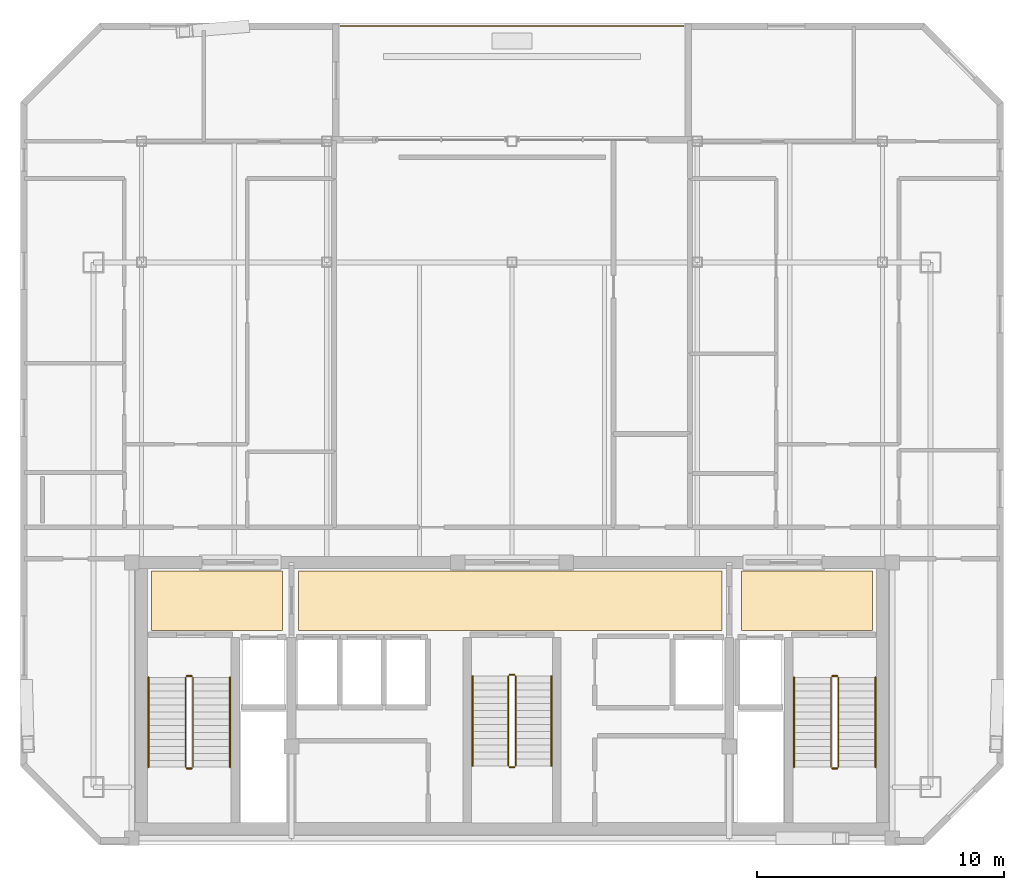
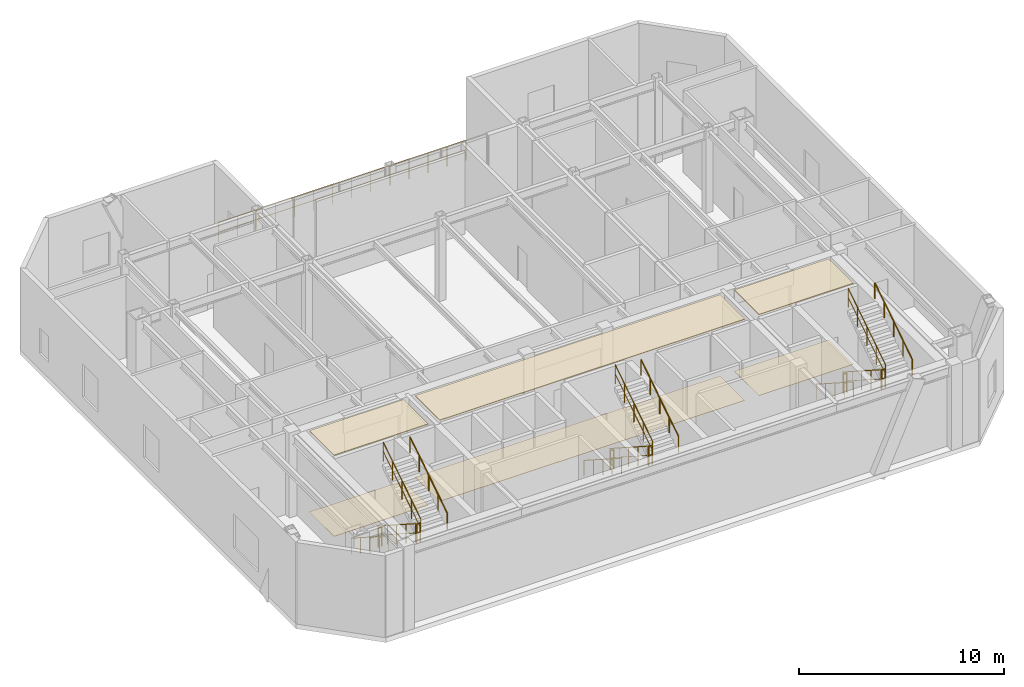
# One storey, part 11 of 11: 19 railings, 6 coverings.
"""IFC4 building model written with IfcOpenShell, lengths in metres."""

from ifc_helpers import new_model, si_unit, direction, frame, origin, origin_2d, place, context, subcontext, project, spatial, polyline, circle, outline, extrude, material, layer, layer_set, type_object, element, save


model = new_model("IFC4")

# Units and contexts
model_context = context("Model", 3, precision=1e-05, world=origin(), true_north=direction((0.0, 1.0)))
body_context = subcontext(model_context, "Body", "Model", "MODEL_VIEW")
ifc_project = project(units=[si_unit("LENGTHUNIT", "METRE"), si_unit("AREAUNIT", "SQUARE_METRE"), si_unit("VOLUMEUNIT", "CUBIC_METRE"), si_unit("PLANEANGLEUNIT", "RADIAN"), si_unit("MASSUNIT", "GRAM", prefix="KILO")], contexts=[model_context])

# Site, building, storey
site_placement = place(None, origin())
site = spatial("IfcSite", under=ifc_project, at=site_placement, CompositionType="ELEMENT")
building_placement = place(site_placement, origin())
building = spatial("IfcBuilding", under=site, at=building_placement, Name="Ventersveld Concourse Tower", CompositionType="ELEMENT")
storey_placement = place(building_placement, frame((0.0, 0.0, 308.0)))
storey = spatial("IfcBuildingStorey", under=building, at=storey_placement, Name="L76", CompositionType="ELEMENT", Elevation=308.0)

# Coverings
ifc_material_1 = material(Name="Mineral-fibre acoustic ceiling tile", Category="gypsum")
ifc_layer_1 = layer(ifc_material_1, 0.0400390625)
ifc_layer_set_1 = layer_set([ifc_layer_1], Name="Mineral-fibre acoustic ceiling tile")
covering_type_1 = type_object("IfcCoveringType", Name="COV-CEIL-ACOUSTIC", PredefinedType="CEILING", material=ifc_layer_set_1)
covering_1_placement = place(storey_placement, frame((0.0, 0.0, 4.81005859375)))
element("IfcCovering", 1, at=covering_1_placement, inside=storey, type_object=covering_type_1, Name="L76 North Lift Lobby Acoustic Ceiling", PredefinedType="CEILING", context=body_context, shape_type="SweptSolid", body=[
    extrude(outline(polyline([(20.10009765625, 8.699951171875), (37.25, 8.699951171875), (37.25, 11.10009765625), (20.10009765625, 11.10009765625), (20.10009765625, 8.699951171875)])), origin(), (0.0, 0.0, 1.0), 0.0400390625),
])
covering_2_placement = place(storey_placement, frame((0.0, 0.0, 4.81005859375)))
element("IfcCovering", 2, at=covering_2_placement, inside=storey, type_object=covering_type_1, Name="L76 West Firefighting Lobby Acoustic Ceiling", PredefinedType="CEILING", context=body_context, shape_type="SweptSolid", body=[
    extrude(outline(polyline([(14.14990234375, 8.699951171875), (19.449951171875, 8.699951171875), (19.449951171875, 11.10009765625), (14.14990234375, 11.10009765625), (14.14990234375, 8.699951171875)])), origin(), (0.0, 0.0, 1.0), 0.0400390625),
])
covering_3_placement = place(storey_placement, frame((0.0, 0.0, 4.81005859375)))
element("IfcCovering", 3, at=covering_3_placement, inside=storey, type_object=covering_type_1, Name="L76 East Firefighting Lobby Acoustic Ceiling", PredefinedType="CEILING", context=body_context, shape_type="SweptSolid", body=[
    extrude(outline(polyline([(38.050048828125, 8.699951171875), (43.35009765625, 8.699951171875), (43.35009765625, 11.10009765625), (38.050048828125, 11.10009765625), (38.050048828125, 8.699951171875)])), origin(), (0.0, 0.0, 1.0), 0.0400390625),
])
ifc_material_2 = material(Name="Polished Highveld granite terrazzo", Category="masonry")
ifc_layer_2 = layer(ifc_material_2, 0.02001953125)
ifc_layer_set_2 = layer_set([ifc_layer_2], Name="Polished Highveld granite terrazzo")
covering_type_2 = type_object("IfcCoveringType", Name="COV-FLOOR-TERRAZZO", PredefinedType="FLOORING", material=ifc_layer_set_2)
covering_4_placement = place(storey_placement, origin())
element("IfcCovering", 4, at=covering_4_placement, inside=storey, type_object=covering_type_2, Name="L76 North Lift Lobby Terrazzo Flooring", PredefinedType="FLOORING", context=body_context, shape_type="SweptSolid", body=[
    extrude(outline(polyline([(20.10009765625, 8.699951171875), (37.25, 8.699951171875), (37.25, 11.10009765625), (20.10009765625, 11.10009765625), (20.10009765625, 8.699951171875)])), origin(), (0.0, 0.0, 1.0), 0.02001953125),
])
covering_5_placement = place(storey_placement, origin())
element("IfcCovering", 5, at=covering_5_placement, inside=storey, type_object=covering_type_2, Name="L76 West Firefighting Lobby Terrazzo Flooring", PredefinedType="FLOORING", context=body_context, shape_type="SweptSolid", body=[
    extrude(outline(polyline([(14.14990234375, 8.699951171875), (19.449951171875, 8.699951171875), (19.449951171875, 11.10009765625), (14.14990234375, 11.10009765625), (14.14990234375, 8.699951171875)])), origin(), (0.0, 0.0, 1.0), 0.02001953125),
])
covering_6_placement = place(storey_placement, origin())
element("IfcCovering", 6, at=covering_6_placement, inside=storey, type_object=covering_type_2, Name="L76 East Firefighting Lobby Terrazzo Flooring", PredefinedType="FLOORING", context=body_context, shape_type="SweptSolid", body=[
    extrude(outline(polyline([(38.050048828125, 8.699951171875), (43.35009765625, 8.699951171875), (43.35009765625, 11.10009765625), (38.050048828125, 11.10009765625), (38.050048828125, 8.699951171875)])), origin(), (0.0, 0.0, 1.0), 0.02001953125),
])

# Railings
ifc_material_3 = material(Name="Brushed stainless steel 316", Category="steel")
railing_type_1 = type_object("IfcRailingType", Name="GD-BAL-115", PredefinedType="GUARDRAIL", material=ifc_material_3)
railing_1_placement = place(storey_placement, frame((15.530029296875, 6.800048828125, 0.180419921875)))
element("IfcRailing", 7, at=railing_1_placement, inside=storey, type_object=railing_type_1, Name="L76 ST-01 stair guard 1", PredefinedType="GUARDRAIL", context=body_context, shape_type="SweptSolid", body=[
    extrude(circle(Radius=0.02392578125, at=origin_2d()), frame((0.0, 0.0, 1.1259765625), z_axis=(0.0, -0.840716495035, 0.541475553442), x_axis=(1.0, 0.0, 0.0)), (0.0, 0.0, 1.0), 4.329833984375),
    extrude(circle(Radius=0.01611328125, at=origin_2d()), frame((0.0, 0.0, 0.574951171875), z_axis=(0.0, -0.840716495035, 0.541475553442), x_axis=(1.0, 0.0, 0.0)), (0.0, 0.0, 1.0), 4.329833984375),
    extrude(circle(Radius=0.02099609375, at=origin_2d()), origin(), (0.0, 0.0, 1.0), 1.101806640625),
    extrude(circle(Radius=0.02099609375, at=origin_2d()), frame((0.0, -0.91015625, 0.586181640625)), (0.0, 0.0, 1.0), 1.101806640625),
    extrude(circle(Radius=0.02099609375, at=origin_2d()), frame((0.0, -1.820068359375, 1.17236328125)), (0.0, 0.0, 1.0), 1.101806640625),
    extrude(circle(Radius=0.02099609375, at=origin_2d()), frame((0.0, -2.72998046875, 1.75830078125)), (0.0, 0.0, 1.0), 1.101806640625),
    extrude(circle(Radius=0.02099609375, at=origin_2d()), frame((0.0, -3.64013671875, 2.344482421875)), (0.0, 0.0, 1.0), 1.101806640625),
])
railing_2_placement = place(storey_placement, frame((15.580078125, 3.110107421875, 2.52490234375)))
element("IfcRailing", 8, at=railing_2_placement, inside=storey, type_object=railing_type_1, Name="L76 ST-01 stair guard 2", PredefinedType="GUARDRAIL", context=body_context, shape_type="SweptSolid", body=[
    extrude(circle(Radius=0.02392578125, at=origin_2d()), frame((0.0, 0.0, 1.1259765625), z_axis=(1.0, 0.0, 0.0), x_axis=(0.0, 1.0, 0.0)), (0.0, 0.0, 1.0), 0.199951171875),
    extrude(circle(Radius=0.01611328125, at=origin_2d()), frame((0.0, 0.0, 0.574951171875), z_axis=(1.0, 0.0, 0.0), x_axis=(0.0, 1.0, 0.0)), (0.0, 0.0, 1.0), 0.199951171875),
    extrude(circle(Radius=0.02099609375, at=origin_2d()), origin(), (0.0, 0.0, 1.0), 1.101806640625),
    extrude(circle(Radius=0.02099609375, at=origin_2d()), frame((0.199951171875, 0.0, 0.0)), (0.0, 0.0, 1.0), 1.101806640625),
])
railing_3_placement = place(storey_placement, frame((15.830078125, 3.159912109375, 2.705322265625)))
element("IfcRailing", 9, at=railing_3_placement, inside=storey, type_object=railing_type_1, Name="L76 ST-01 stair guard 3", PredefinedType="GUARDRAIL", context=body_context, shape_type="SweptSolid", body=[
    extrude(circle(Radius=0.02392578125, at=origin_2d()), frame((0.0, 0.0, 1.1259765625), z_axis=(0.0, 0.840690826383, 0.541515405539), x_axis=(-1.0, 0.0, 0.0)), (0.0, 0.0, 1.0), 4.329833984375),
    extrude(circle(Radius=0.01611328125, at=origin_2d()), frame((0.0, 0.0, 0.574951171875), z_axis=(0.0, 0.840690826383, 0.541515405539), x_axis=(-1.0, 0.0, 0.0)), (0.0, 0.0, 1.0), 4.329833984375),
    extrude(circle(Radius=0.02099609375, at=origin_2d()), origin(), (0.0, 0.0, 1.0), 1.101806640625),
    extrude(circle(Radius=0.02099609375, at=origin_2d()), frame((0.0, 0.91015625, 0.586181640625)), (0.0, 0.0, 1.0), 1.101806640625),
    extrude(circle(Radius=0.02099609375, at=origin_2d()), frame((0.0, 1.820068359375, 1.17236328125)), (0.0, 0.0, 1.0), 1.101806640625),
    extrude(circle(Radius=0.02099609375, at=origin_2d()), frame((0.0, 2.72998046875, 1.758544921875)), (0.0, 0.0, 1.0), 1.101806640625),
    extrude(circle(Radius=0.02099609375, at=origin_2d()), frame((0.0, 3.64013671875, 2.3447265625)), (0.0, 0.0, 1.0), 1.101806640625),
])
railing_4_placement = place(storey_placement, frame((15.580078125, 6.85009765625, 0.0)))
element("IfcRailing", 10, at=railing_4_placement, inside=storey, type_object=railing_type_1, Name="L76 ST-01 stair guard 4", PredefinedType="GUARDRAIL", context=body_context, shape_type="SweptSolid", body=[
    extrude(circle(Radius=0.02392578125, at=origin_2d()), frame((0.0, 0.0, 1.1259765625), z_axis=(1.0, 0.0, 0.0), x_axis=(0.0, 1.0, 0.0)), (0.0, 0.0, 1.0), 0.199951171875),
    extrude(circle(Radius=0.01611328125, at=origin_2d()), frame((0.0, 0.0, 0.574951171875), z_axis=(1.0, 0.0, 0.0), x_axis=(0.0, 1.0, 0.0)), (0.0, 0.0, 1.0), 0.199951171875),
    extrude(circle(Radius=0.02099609375, at=origin_2d()), origin(), (0.0, 0.0, 1.0), 1.101806640625),
    extrude(circle(Radius=0.02099609375, at=origin_2d()), frame((0.199951171875, 0.0, 0.0)), (0.0, 0.0, 1.0), 1.101806640625),
])
railing_5_placement = place(storey_placement, frame((41.669921875, 6.800048828125, 0.180419921875)))
element("IfcRailing", 11, at=railing_5_placement, inside=storey, type_object=railing_type_1, Name="L76 ST-02 stair guard 1", PredefinedType="GUARDRAIL", context=body_context, shape_type="SweptSolid", body=[
    extrude(circle(Radius=0.02392578125, at=origin_2d()), frame((0.0, 0.0, 1.1259765625), z_axis=(0.0, -0.840716495035, 0.541475553442), x_axis=(1.0, 0.0, 0.0)), (0.0, 0.0, 1.0), 4.329833984375),
    extrude(circle(Radius=0.01611328125, at=origin_2d()), frame((0.0, 0.0, 0.574951171875), z_axis=(0.0, -0.840716495035, 0.541475553442), x_axis=(1.0, 0.0, 0.0)), (0.0, 0.0, 1.0), 4.329833984375),
    extrude(circle(Radius=0.02099609375, at=origin_2d()), origin(), (0.0, 0.0, 1.0), 1.101806640625),
    extrude(circle(Radius=0.02099609375, at=origin_2d()), frame((0.0, -0.91015625, 0.586181640625)), (0.0, 0.0, 1.0), 1.101806640625),
    extrude(circle(Radius=0.02099609375, at=origin_2d()), frame((0.0, -1.820068359375, 1.17236328125)), (0.0, 0.0, 1.0), 1.101806640625),
    extrude(circle(Radius=0.02099609375, at=origin_2d()), frame((0.0, -2.72998046875, 1.75830078125)), (0.0, 0.0, 1.0), 1.101806640625),
    extrude(circle(Radius=0.02099609375, at=origin_2d()), frame((0.0, -3.64013671875, 2.344482421875)), (0.0, 0.0, 1.0), 1.101806640625),
])
railing_6_placement = place(storey_placement, frame((41.719970703125, 3.110107421875, 2.52490234375)))
element("IfcRailing", 12, at=railing_6_placement, inside=storey, type_object=railing_type_1, Name="L76 ST-02 stair guard 2", PredefinedType="GUARDRAIL", context=body_context, shape_type="SweptSolid", body=[
    extrude(circle(Radius=0.02392578125, at=origin_2d()), frame((0.0, 0.0, 1.1259765625), z_axis=(1.0, 0.0, 0.0), x_axis=(0.0, 1.0, 0.0)), (0.0, 0.0, 1.0), 0.199951171875),
    extrude(circle(Radius=0.01611328125, at=origin_2d()), frame((0.0, 0.0, 0.574951171875), z_axis=(1.0, 0.0, 0.0), x_axis=(0.0, 1.0, 0.0)), (0.0, 0.0, 1.0), 0.199951171875),
    extrude(circle(Radius=0.02099609375, at=origin_2d()), origin(), (0.0, 0.0, 1.0), 1.101806640625),
    extrude(circle(Radius=0.02099609375, at=origin_2d()), frame((0.199951171875, 0.0, 0.0)), (0.0, 0.0, 1.0), 1.101806640625),
])
railing_7_placement = place(storey_placement, frame((41.969970703125, 3.159912109375, 2.705322265625)))
element("IfcRailing", 13, at=railing_7_placement, inside=storey, type_object=railing_type_1, Name="L76 ST-02 stair guard 3", PredefinedType="GUARDRAIL", context=body_context, shape_type="SweptSolid", body=[
    extrude(circle(Radius=0.02392578125, at=origin_2d()), frame((0.0, 0.0, 1.1259765625), z_axis=(0.0, 0.840690826383, 0.541515405539), x_axis=(-1.0, 0.0, 0.0)), (0.0, 0.0, 1.0), 4.329833984375),
    extrude(circle(Radius=0.01611328125, at=origin_2d()), frame((0.0, 0.0, 0.574951171875), z_axis=(0.0, 0.840690826383, 0.541515405539), x_axis=(-1.0, 0.0, 0.0)), (0.0, 0.0, 1.0), 4.329833984375),
    extrude(circle(Radius=0.02099609375, at=origin_2d()), origin(), (0.0, 0.0, 1.0), 1.101806640625),
    extrude(circle(Radius=0.02099609375, at=origin_2d()), frame((0.0, 0.91015625, 0.586181640625)), (0.0, 0.0, 1.0), 1.101806640625),
    extrude(circle(Radius=0.02099609375, at=origin_2d()), frame((0.0, 1.820068359375, 1.17236328125)), (0.0, 0.0, 1.0), 1.101806640625),
    extrude(circle(Radius=0.02099609375, at=origin_2d()), frame((0.0, 2.72998046875, 1.758544921875)), (0.0, 0.0, 1.0), 1.101806640625),
    extrude(circle(Radius=0.02099609375, at=origin_2d()), frame((0.0, 3.64013671875, 2.3447265625)), (0.0, 0.0, 1.0), 1.101806640625),
])
railing_8_placement = place(storey_placement, frame((41.719970703125, 6.85009765625, 0.0)))
element("IfcRailing", 14, at=railing_8_placement, inside=storey, type_object=railing_type_1, Name="L76 ST-02 stair guard 4", PredefinedType="GUARDRAIL", context=body_context, shape_type="SweptSolid", body=[
    extrude(circle(Radius=0.02392578125, at=origin_2d()), frame((0.0, 0.0, 1.1259765625), z_axis=(1.0, 0.0, 0.0), x_axis=(0.0, 1.0, 0.0)), (0.0, 0.0, 1.0), 0.199951171875),
    extrude(circle(Radius=0.01611328125, at=origin_2d()), frame((0.0, 0.0, 0.574951171875), z_axis=(1.0, 0.0, 0.0), x_axis=(0.0, 1.0, 0.0)), (0.0, 0.0, 1.0), 0.199951171875),
    extrude(circle(Radius=0.02099609375, at=origin_2d()), origin(), (0.0, 0.0, 1.0), 1.101806640625),
    extrude(circle(Radius=0.02099609375, at=origin_2d()), frame((0.199951171875, 0.0, 0.0)), (0.0, 0.0, 1.0), 1.101806640625),
])
railing_9_placement = place(storey_placement, frame((28.60009765625, 6.85009765625, 0.180419921875)))
element("IfcRailing", 15, at=railing_9_placement, inside=storey, type_object=railing_type_1, Name="L76 ST-03 stair guard 1", PredefinedType="GUARDRAIL", context=body_context, shape_type="SweptSolid", body=[
    extrude(circle(Radius=0.02392578125, at=origin_2d()), frame((0.0, 0.0, 1.1259765625), z_axis=(0.0, -0.840716495035, 0.541475553442), x_axis=(1.0, 0.0, 0.0)), (0.0, 0.0, 1.0), 4.329833984375),
    extrude(circle(Radius=0.01611328125, at=origin_2d()), frame((0.0, 0.0, 0.574951171875), z_axis=(0.0, -0.840716495035, 0.541475553442), x_axis=(1.0, 0.0, 0.0)), (0.0, 0.0, 1.0), 4.329833984375),
    extrude(circle(Radius=0.02099609375, at=origin_2d()), origin(), (0.0, 0.0, 1.0), 1.101806640625),
    extrude(circle(Radius=0.02099609375, at=origin_2d()), frame((0.0, -0.91015625, 0.586181640625)), (0.0, 0.0, 1.0), 1.101806640625),
    extrude(circle(Radius=0.02099609375, at=origin_2d()), frame((0.0, -1.820068359375, 1.17236328125)), (0.0, 0.0, 1.0), 1.101806640625),
    extrude(circle(Radius=0.02099609375, at=origin_2d()), frame((0.0, -2.72998046875, 1.75830078125)), (0.0, 0.0, 1.0), 1.101806640625),
    extrude(circle(Radius=0.02099609375, at=origin_2d()), frame((0.0, -3.64013671875, 2.344482421875)), (0.0, 0.0, 1.0), 1.101806640625),
])
railing_10_placement = place(storey_placement, frame((28.64990234375, 3.159912109375, 2.52490234375)))
element("IfcRailing", 16, at=railing_10_placement, inside=storey, type_object=railing_type_1, Name="L76 ST-03 stair guard 2", PredefinedType="GUARDRAIL", context=body_context, shape_type="SweptSolid", body=[
    extrude(circle(Radius=0.02392578125, at=origin_2d()), frame((0.0, 0.0, 1.1259765625), z_axis=(1.0, 0.0, 0.0), x_axis=(0.0, 1.0, 0.0)), (0.0, 0.0, 1.0), 0.2001953125),
    extrude(circle(Radius=0.01611328125, at=origin_2d()), frame((0.0, 0.0, 0.574951171875), z_axis=(1.0, 0.0, 0.0), x_axis=(0.0, 1.0, 0.0)), (0.0, 0.0, 1.0), 0.2001953125),
    extrude(circle(Radius=0.02099609375, at=origin_2d()), origin(), (0.0, 0.0, 1.0), 1.101806640625),
    extrude(circle(Radius=0.02099609375, at=origin_2d()), frame((0.2001953125, 0.0, 0.0)), (0.0, 0.0, 1.0), 1.101806640625),
])
railing_11_placement = place(storey_placement, frame((28.89990234375, 3.2099609375, 2.705322265625)))
element("IfcRailing", 17, at=railing_11_placement, inside=storey, type_object=railing_type_1, Name="L76 ST-03 stair guard 3", PredefinedType="GUARDRAIL", context=body_context, shape_type="SweptSolid", body=[
    extrude(circle(Radius=0.02392578125, at=origin_2d()), frame((0.0, 0.0, 1.1259765625), z_axis=(0.0, 0.840690826383, 0.541515405539), x_axis=(-1.0, 0.0, 0.0)), (0.0, 0.0, 1.0), 4.329833984375),
    extrude(circle(Radius=0.01611328125, at=origin_2d()), frame((0.0, 0.0, 0.574951171875), z_axis=(0.0, 0.840690826383, 0.541515405539), x_axis=(-1.0, 0.0, 0.0)), (0.0, 0.0, 1.0), 4.329833984375),
    extrude(circle(Radius=0.02099609375, at=origin_2d()), origin(), (0.0, 0.0, 1.0), 1.101806640625),
    extrude(circle(Radius=0.02099609375, at=origin_2d()), frame((0.0, 0.91015625, 0.586181640625)), (0.0, 0.0, 1.0), 1.101806640625),
    extrude(circle(Radius=0.02099609375, at=origin_2d()), frame((0.0, 1.820068359375, 1.17236328125)), (0.0, 0.0, 1.0), 1.101806640625),
    extrude(circle(Radius=0.02099609375, at=origin_2d()), frame((0.0, 2.72998046875, 1.758544921875)), (0.0, 0.0, 1.0), 1.101806640625),
    extrude(circle(Radius=0.02099609375, at=origin_2d()), frame((0.0, 3.64013671875, 2.3447265625)), (0.0, 0.0, 1.0), 1.101806640625),
])
railing_12_placement = place(storey_placement, frame((28.64990234375, 6.89990234375, 0.0)))
element("IfcRailing", 18, at=railing_12_placement, inside=storey, type_object=railing_type_1, Name="L76 ST-03 stair guard 4", PredefinedType="GUARDRAIL", context=body_context, shape_type="SweptSolid", body=[
    extrude(circle(Radius=0.02392578125, at=origin_2d()), frame((0.0, 0.0, 1.1259765625), z_axis=(1.0, 0.0, 0.0), x_axis=(0.0, 1.0, 0.0)), (0.0, 0.0, 1.0), 0.2001953125),
    extrude(circle(Radius=0.01611328125, at=origin_2d()), frame((0.0, 0.0, 0.574951171875), z_axis=(1.0, 0.0, 0.0), x_axis=(0.0, 1.0, 0.0)), (0.0, 0.0, 1.0), 0.2001953125),
    extrude(circle(Radius=0.02099609375, at=origin_2d()), origin(), (0.0, 0.0, 1.0), 1.101806640625),
    extrude(circle(Radius=0.02099609375, at=origin_2d()), frame((0.2001953125, 0.0, 0.0)), (0.0, 0.0, 1.0), 1.101806640625),
])
railing_type_2 = type_object("IfcRailingType", Name="GD-TER-120", PredefinedType="GUARDRAIL", material=ifc_material_3)
railing_13_placement = place(storey_placement, frame((21.800048828125, 33.173095703125, 0.0)))
element("IfcRailing", 19, at=railing_13_placement, inside=storey, type_object=railing_type_2, Name="L76 Outdoor Terrace Guardrail SKYGARDEN", PredefinedType="GUARDRAIL", context=body_context, shape_type="SweptSolid", body=[
    extrude(circle(Radius=0.02392578125, at=origin_2d()), frame((0.0, 0.0, 1.17578125), z_axis=(1.0, 0.0, 0.0), x_axis=(0.0, 1.0, 0.0)), (0.0, 0.0, 1.0), 13.89990234375),
    extrude(circle(Radius=0.01611328125, at=origin_2d()), frame((0.0, 0.0, 0.60009765625), z_axis=(1.0, 0.0, 0.0), x_axis=(0.0, 1.0, 0.0)), (0.0, 0.0, 1.0), 13.89990234375),
    extrude(circle(Radius=0.02099609375, at=origin_2d()), origin(), (0.0, 0.0, 1.0), 1.15185546875),
    extrude(circle(Radius=0.02099609375, at=origin_2d()), frame((1.0693359375, 0.0, 0.0)), (0.0, 0.0, 1.0), 1.15185546875),
    extrude(circle(Radius=0.02099609375, at=origin_2d()), frame((2.138427734375, 0.0, 0.0)), (0.0, 0.0, 1.0), 1.15185546875),
    extrude(circle(Radius=0.02099609375, at=origin_2d()), frame((3.207763671875, 0.0, 0.0)), (0.0, 0.0, 1.0), 1.15185546875),
    extrude(circle(Radius=0.02099609375, at=origin_2d()), frame((4.27685546875, 0.0, 0.0)), (0.0, 0.0, 1.0), 1.15185546875),
    extrude(circle(Radius=0.02099609375, at=origin_2d()), frame((5.34619140625, 0.0, 0.0)), (0.0, 0.0, 1.0), 1.15185546875),
    extrude(circle(Radius=0.02099609375, at=origin_2d()), frame((6.415283203125, 0.0, 0.0)), (0.0, 0.0, 1.0), 1.15185546875),
    extrude(circle(Radius=0.02099609375, at=origin_2d()), frame((7.484619140625, 0.0, 0.0)), (0.0, 0.0, 1.0), 1.15185546875),
    extrude(circle(Radius=0.02099609375, at=origin_2d()), frame((8.5537109375, 0.0, 0.0)), (0.0, 0.0, 1.0), 1.15185546875),
    extrude(circle(Radius=0.02099609375, at=origin_2d()), frame((9.623046875, 0.0, 0.0)), (0.0, 0.0, 1.0), 1.15185546875),
    extrude(circle(Radius=0.02099609375, at=origin_2d()), frame((10.692138671875, 0.0, 0.0)), (0.0, 0.0, 1.0), 1.15185546875),
    extrude(circle(Radius=0.02099609375, at=origin_2d()), frame((11.761474609375, 0.0, 0.0)), (0.0, 0.0, 1.0), 1.15185546875),
    extrude(circle(Radius=0.02099609375, at=origin_2d()), frame((12.83056640625, 0.0, 0.0)), (0.0, 0.0, 1.0), 1.15185546875),
    extrude(circle(Radius=0.02099609375, at=origin_2d()), frame((13.89990234375, 0.0, 0.0)), (0.0, 0.0, 1.0), 1.15185546875),
])
railing_type_3 = type_object("IfcRailingType", Name="HR-RMP-095", PredefinedType="HANDRAIL", material=ifc_material_3)
railing_14_placement = place(storey_placement, frame((14.030029296875, 6.800048828125, 0.180419921875)))
element("IfcRailing", 20, at=railing_14_placement, inside=storey, type_object=railing_type_3, Name="L76 ST-01 stair handrail 1", PredefinedType="HANDRAIL", context=body_context, shape_type="SweptSolid", body=[
    extrude(circle(Radius=0.02392578125, at=origin_2d()), frame((0.0, 0.0, 0.92578125), z_axis=(0.0, -0.840716495035, 0.541475553442), x_axis=(1.0, 0.0, 0.0)), (0.0, 0.0, 1.0), 4.329833984375),
    extrude(circle(Radius=0.02099609375, at=origin_2d()), origin(), (0.0, 0.0, 1.0), 0.90185546875),
    extrude(circle(Radius=0.02099609375, at=origin_2d()), frame((0.0, -0.91015625, 0.586181640625)), (0.0, 0.0, 1.0), 0.90185546875),
    extrude(circle(Radius=0.02099609375, at=origin_2d()), frame((0.0, -1.820068359375, 1.17236328125)), (0.0, 0.0, 1.0), 0.90185546875),
    extrude(circle(Radius=0.02099609375, at=origin_2d()), frame((0.0, -2.72998046875, 1.75830078125)), (0.0, 0.0, 1.0), 0.90185546875),
    extrude(circle(Radius=0.02099609375, at=origin_2d()), frame((0.0, -3.64013671875, 2.344482421875)), (0.0, 0.0, 1.0), 0.90185546875),
])
railing_15_placement = place(storey_placement, frame((17.330078125, 3.159912109375, 2.705322265625)))
element("IfcRailing", 21, at=railing_15_placement, inside=storey, type_object=railing_type_3, Name="L76 ST-01 stair handrail 2", PredefinedType="HANDRAIL", context=body_context, shape_type="SweptSolid", body=[
    extrude(circle(Radius=0.02392578125, at=origin_2d()), frame((0.0, 0.0, 0.92578125), z_axis=(0.0, 0.840690826383, 0.541515405539), x_axis=(-1.0, 0.0, 0.0)), (0.0, 0.0, 1.0), 4.329833984375),
    extrude(circle(Radius=0.02099609375, at=origin_2d()), origin(), (0.0, 0.0, 1.0), 0.90185546875),
    extrude(circle(Radius=0.02099609375, at=origin_2d()), frame((0.0, 0.91015625, 0.586181640625)), (0.0, 0.0, 1.0), 0.90185546875),
    extrude(circle(Radius=0.02099609375, at=origin_2d()), frame((0.0, 1.820068359375, 1.17236328125)), (0.0, 0.0, 1.0), 0.90185546875),
    extrude(circle(Radius=0.02099609375, at=origin_2d()), frame((0.0, 2.72998046875, 1.758544921875)), (0.0, 0.0, 1.0), 0.90185546875),
    extrude(circle(Radius=0.02099609375, at=origin_2d()), frame((0.0, 3.64013671875, 2.3447265625)), (0.0, 0.0, 1.0), 0.90185546875),
])
railing_16_placement = place(storey_placement, frame((40.169921875, 6.800048828125, 0.180419921875)))
element("IfcRailing", 22, at=railing_16_placement, inside=storey, type_object=railing_type_3, Name="L76 ST-02 stair handrail 1", PredefinedType="HANDRAIL", context=body_context, shape_type="SweptSolid", body=[
    extrude(circle(Radius=0.02392578125, at=origin_2d()), frame((0.0, 0.0, 0.92578125), z_axis=(0.0, -0.840716495035, 0.541475553442), x_axis=(1.0, 0.0, 0.0)), (0.0, 0.0, 1.0), 4.329833984375),
    extrude(circle(Radius=0.02099609375, at=origin_2d()), origin(), (0.0, 0.0, 1.0), 0.90185546875),
    extrude(circle(Radius=0.02099609375, at=origin_2d()), frame((0.0, -0.91015625, 0.586181640625)), (0.0, 0.0, 1.0), 0.90185546875),
    extrude(circle(Radius=0.02099609375, at=origin_2d()), frame((0.0, -1.820068359375, 1.17236328125)), (0.0, 0.0, 1.0), 0.90185546875),
    extrude(circle(Radius=0.02099609375, at=origin_2d()), frame((0.0, -2.72998046875, 1.75830078125)), (0.0, 0.0, 1.0), 0.90185546875),
    extrude(circle(Radius=0.02099609375, at=origin_2d()), frame((0.0, -3.64013671875, 2.344482421875)), (0.0, 0.0, 1.0), 0.90185546875),
])
railing_17_placement = place(storey_placement, frame((43.469970703125, 3.159912109375, 2.705322265625)))
element("IfcRailing", 23, at=railing_17_placement, inside=storey, type_object=railing_type_3, Name="L76 ST-02 stair handrail 2", PredefinedType="HANDRAIL", context=body_context, shape_type="SweptSolid", body=[
    extrude(circle(Radius=0.02392578125, at=origin_2d()), frame((0.0, 0.0, 0.92578125), z_axis=(0.0, 0.840690826383, 0.541515405539), x_axis=(-1.0, 0.0, 0.0)), (0.0, 0.0, 1.0), 4.329833984375),
    extrude(circle(Radius=0.02099609375, at=origin_2d()), origin(), (0.0, 0.0, 1.0), 0.90185546875),
    extrude(circle(Radius=0.02099609375, at=origin_2d()), frame((0.0, 0.91015625, 0.586181640625)), (0.0, 0.0, 1.0), 0.90185546875),
    extrude(circle(Radius=0.02099609375, at=origin_2d()), frame((0.0, 1.820068359375, 1.17236328125)), (0.0, 0.0, 1.0), 0.90185546875),
    extrude(circle(Radius=0.02099609375, at=origin_2d()), frame((0.0, 2.72998046875, 1.758544921875)), (0.0, 0.0, 1.0), 0.90185546875),
    extrude(circle(Radius=0.02099609375, at=origin_2d()), frame((0.0, 3.64013671875, 2.3447265625)), (0.0, 0.0, 1.0), 0.90185546875),
])
railing_18_placement = place(storey_placement, frame((27.14990234375, 6.85009765625, 0.180419921875)))
element("IfcRailing", 24, at=railing_18_placement, inside=storey, type_object=railing_type_3, Name="L76 ST-03 stair handrail 1", PredefinedType="HANDRAIL", context=body_context, shape_type="SweptSolid", body=[
    extrude(circle(Radius=0.02392578125, at=origin_2d()), frame((0.0, 0.0, 0.92578125), z_axis=(0.0, -0.840716495035, 0.541475553442), x_axis=(1.0, 0.0, 0.0)), (0.0, 0.0, 1.0), 4.329833984375),
    extrude(circle(Radius=0.02099609375, at=origin_2d()), origin(), (0.0, 0.0, 1.0), 0.90185546875),
    extrude(circle(Radius=0.02099609375, at=origin_2d()), frame((0.0, -0.91015625, 0.586181640625)), (0.0, 0.0, 1.0), 0.90185546875),
    extrude(circle(Radius=0.02099609375, at=origin_2d()), frame((0.0, -1.820068359375, 1.17236328125)), (0.0, 0.0, 1.0), 0.90185546875),
    extrude(circle(Radius=0.02099609375, at=origin_2d()), frame((0.0, -2.72998046875, 1.75830078125)), (0.0, 0.0, 1.0), 0.90185546875),
    extrude(circle(Radius=0.02099609375, at=origin_2d()), frame((0.0, -3.64013671875, 2.344482421875)), (0.0, 0.0, 1.0), 0.90185546875),
])
railing_19_placement = place(storey_placement, frame((30.35009765625, 3.2099609375, 2.705322265625)))
element("IfcRailing", 25, at=railing_19_placement, inside=storey, type_object=railing_type_3, Name="L76 ST-03 stair handrail 2", PredefinedType="HANDRAIL", context=body_context, shape_type="SweptSolid", body=[
    extrude(circle(Radius=0.02392578125, at=origin_2d()), frame((0.0, 0.0, 0.92578125), z_axis=(0.0, 0.840690826383, 0.541515405539), x_axis=(-1.0, 0.0, 0.0)), (0.0, 0.0, 1.0), 4.329833984375),
    extrude(circle(Radius=0.02099609375, at=origin_2d()), origin(), (0.0, 0.0, 1.0), 0.90185546875),
    extrude(circle(Radius=0.02099609375, at=origin_2d()), frame((0.0, 0.91015625, 0.586181640625)), (0.0, 0.0, 1.0), 0.90185546875),
    extrude(circle(Radius=0.02099609375, at=origin_2d()), frame((0.0, 1.820068359375, 1.17236328125)), (0.0, 0.0, 1.0), 0.90185546875),
    extrude(circle(Radius=0.02099609375, at=origin_2d()), frame((0.0, 2.72998046875, 1.758544921875)), (0.0, 0.0, 1.0), 0.90185546875),
    extrude(circle(Radius=0.02099609375, at=origin_2d()), frame((0.0, 3.64013671875, 2.3447265625)), (0.0, 0.0, 1.0), 0.90185546875),
])

save(model, "model.ifc")
